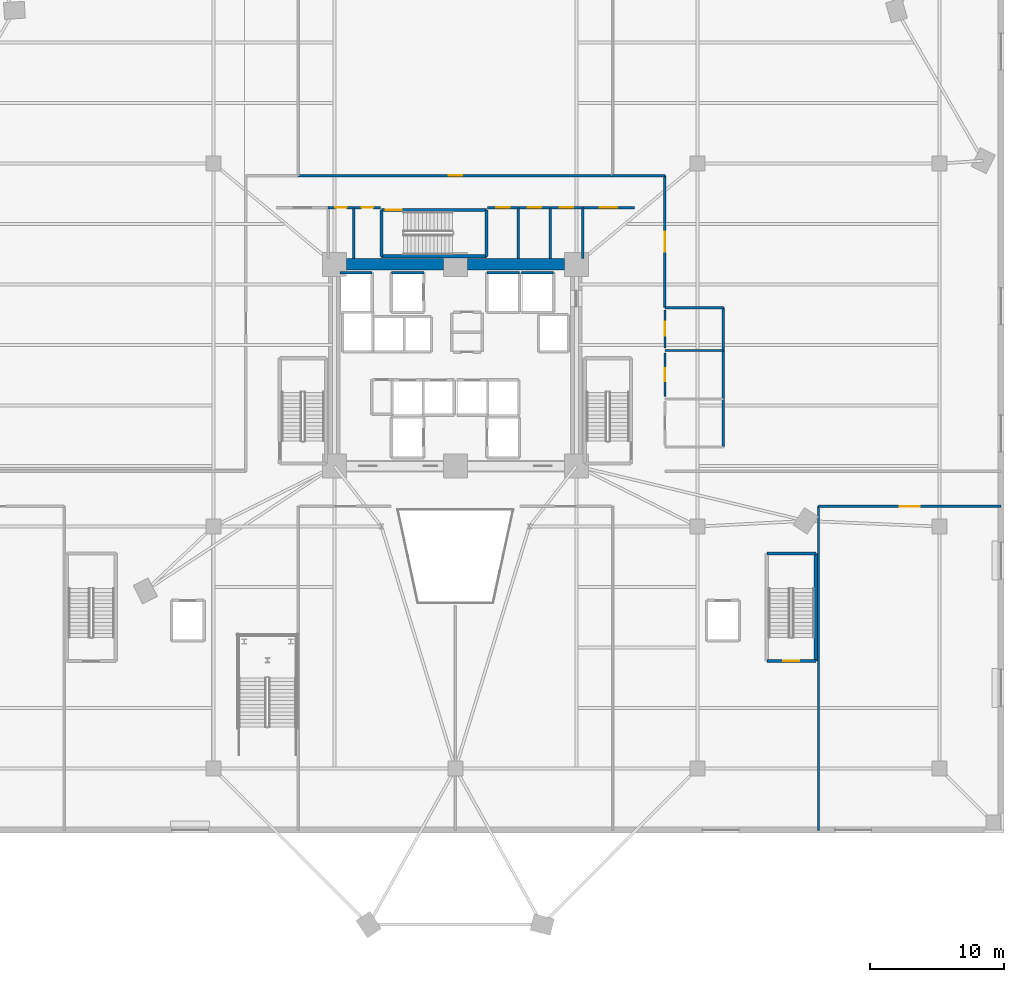
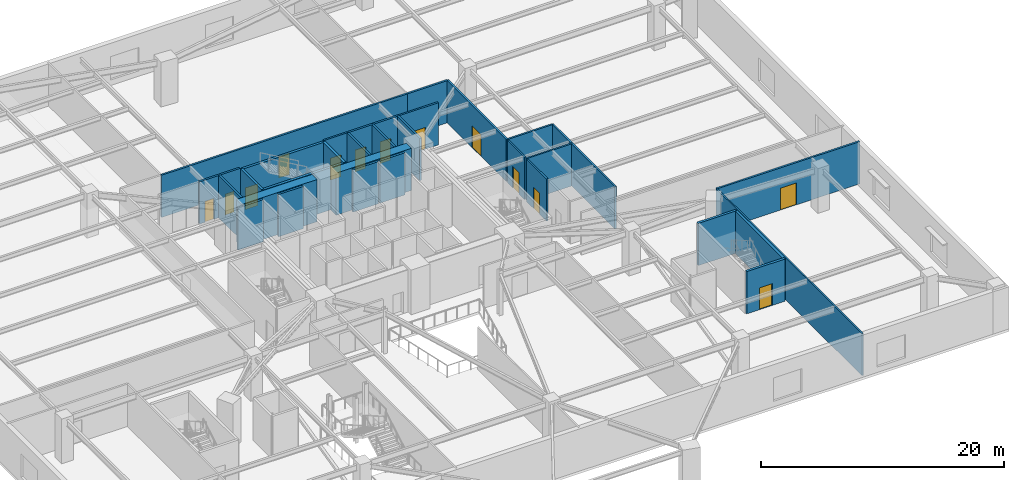
# One storey, part 8 of 16: 33 walls, 13 doors, 13 openings.
"""IFC4 building model written with IfcOpenShell, lengths in metres."""

import ifcopenshell
import ifcopenshell.guid

model = None  # the IFC model being written
_history = None  # IfcOwnerHistory: only IFC2X3 demands one
_inside = {}  # id of a spatial element -> (the spatial element, [elements in it])
_under = {}  # id of a project, library or spatial element -> (it, [spatial elements below it])
_declared = {}  # id of a project -> (the project, [libraries it declares])
_typed = {}  # id of a type object -> (the type object, [elements of that type])
_made_of = {}  # id of a material, layer set ... -> (it, [elements and type objects made of it])


def new_model(schema):
    """Start an empty IFC model of exactly this schema.

    Asked for "IFC4X3", IfcOpenShell would pick the latest addendum, in which some entities
    have other attributes; the version numbers below select the first issue.
    IFC2X3 requires an IfcOwnerHistory on every rooted entity: one is made here for all.
    """
    global model, _history
    if schema == "IFC4X3":
        model = ifcopenshell.file(schema_version=(4, 3, 0, 0))
    else:
        model = ifcopenshell.file(schema=schema)
    _inside.clear()
    _under.clear()
    _declared.clear()
    _typed.clear()
    _made_of.clear()
    _history = None
    if model.schema == "IFC2X3":
        org = make("IfcOrganization", Name="unknown")
        user = make(
            "IfcPersonAndOrganization",
            ThePerson=make("IfcPerson", FamilyName="unknown"),
            TheOrganization=org,
        )
        app = make(
            "IfcApplication",
            ApplicationDeveloper=org,
            Version="unknown",
            ApplicationFullName="unknown",
            ApplicationIdentifier="unknown",
        )
        _history = make(
            "IfcOwnerHistory",
            OwningUser=user,
            OwningApplication=app,
            ChangeAction="ADDED",
            CreationDate=0,
        )
    return model


def make(cls, **values):
    """One entity of the class cls with the attributes given. An attribute that is None is left unset."""
    return model.create_entity(
        cls, **{name: value for name, value in values.items() if value is not None}
    )


def rooted(cls, **values):
    """An entity with a GlobalId (a new one), such as an element, a storey or a relation."""
    return make(cls, GlobalId=ifcopenshell.guid.new(), OwnerHistory=_history, **values)


def si_unit(unit_type, name, prefix=None):
    """IfcSIUnit, for example si_unit("LENGTHUNIT", "METRE", prefix="MILLI")."""
    return make("IfcSIUnit", UnitType=unit_type, Prefix=prefix, Name=name)


def assignment(units):
    """IfcUnitAssignment: the units of a project."""
    return None if units is None else make("IfcUnitAssignment", Units=units)


def point(xyz):
    """IfcCartesianPoint."""
    return None if xyz is None else make("IfcCartesianPoint", Coordinates=xyz)


def direction(xyz):
    """IfcDirection."""
    return None if xyz is None else make("IfcDirection", DirectionRatios=xyz)


def frame(location, z_axis=None, x_axis=None):
    """IfcAxis2Placement3D, a coordinate frame: its origin and axes. An axis left out is left unset."""
    return make(
        "IfcAxis2Placement3D",
        Location=point(location),
        Axis=direction(z_axis),
        RefDirection=direction(x_axis),
    )


def frame_2d(location, x_axis=None):
    """IfcAxis2Placement2D, a coordinate frame in the plane: its origin and x axis."""
    return make(
        "IfcAxis2Placement2D", Location=point(location), RefDirection=direction(x_axis)
    )


def origin():
    """The frame at (0, 0, 0) with its axes left unset."""
    return frame((0.0, 0.0, 0.0))


def place(relative_to, where):
    """IfcLocalPlacement: puts the frame where relative to a parent placement (None: the world)."""
    return make(
        "IfcLocalPlacement", PlacementRelTo=relative_to, RelativePlacement=where
    )


def context(
    kind, dimensions, precision=None, world=None, true_north=None, identifier=None
):
    """IfcGeometricRepresentationContext, for example the 3D "Model" context."""
    return make(
        "IfcGeometricRepresentationContext",
        ContextIdentifier=identifier,
        ContextType=kind,
        CoordinateSpaceDimension=dimensions,
        Precision=precision,
        WorldCoordinateSystem=world,
        TrueNorth=true_north,
    )


def subcontext(parent, identifier, kind, view, scale=None):
    """IfcGeometricRepresentationSubContext, for example "Body" below "Model"."""
    return make(
        "IfcGeometricRepresentationSubContext",
        ContextIdentifier=identifier,
        ContextType=kind,
        ParentContext=parent,
        TargetScale=scale,
        TargetView=view,
    )


def project(units=None, contexts=None):
    """IfcProject with its units and contexts."""
    return rooted(
        "IfcProject",
        Name="project",
        RepresentationContexts=contexts,
        UnitsInContext=assignment(units),
    )


def spatial(cls, under=None, at=None, **own):
    """A site, building, storey or space (cls), placed at a placement, below another one or the project."""
    s = rooted(cls, ObjectPlacement=at, **own)
    if under is not None:
        _under.setdefault(under.id(), (under, []))[1].append(s)
    return s


def profile(cls, at=None, kind="AREA", **sizes):
    """A parametric profile (cls). Its sizes go by their IFC names, for example OverallWidth=200.0."""
    return make(cls, ProfileType=kind, Position=at, **sizes)


def rectangle(**sizes):
    """IfcRectangleProfileDef."""
    return profile("IfcRectangleProfileDef", **sizes)


def extrude(swept, where, along, depth):
    """IfcExtrudedAreaSolid: the profile swept, set in the frame where, extruded along a direction by depth."""
    return make(
        "IfcExtrudedAreaSolid",
        SweptArea=swept,
        Position=where,
        ExtrudedDirection=direction(along),
        Depth=depth,
    )


def shape(context_of_items, identifier, shape_type, items):
    """IfcShapeRepresentation: the items that make up one representation, for example the "Body"."""
    return make(
        "IfcShapeRepresentation",
        ContextOfItems=context_of_items,
        RepresentationIdentifier=identifier,
        RepresentationType=shape_type,
        Items=items,
    )


def source(mapping_origin, context_of_items, identifier, shape_type, items):
    """IfcRepresentationMap: a shape defined once, which mapped items show again and again."""
    return make(
        "IfcRepresentationMap",
        MappingOrigin=mapping_origin,
        MappedRepresentation=shape(context_of_items, identifier, shape_type, items),
    )


def transform(
    local_origin,
    x_axis=None,
    y_axis=None,
    z_axis=None,
    scale=None,
    scale2=None,
    scale3=None,
    uniform=True,
):
    """IfcCartesianTransformationOperator3D, or its non-uniform kind. x_axis, y_axis, z_axis: its Axis1, 2, 3."""
    if uniform:
        return make(
            "IfcCartesianTransformationOperator3D",
            Axis1=direction(x_axis),
            Axis2=direction(y_axis),
            LocalOrigin=point(local_origin),
            Scale=scale,
            Axis3=direction(z_axis),
        )
    return make(
        "IfcCartesianTransformationOperator3DnonUniform",
        Axis1=direction(x_axis),
        Axis2=direction(y_axis),
        LocalOrigin=point(local_origin),
        Scale=scale,
        Axis3=direction(z_axis),
        Scale2=scale2,
        Scale3=scale3,
    )


def mapped(mapping_source, mapping_target):
    """IfcMappedItem: shows the shape of a source again, moved by a transform."""
    return make(
        "IfcMappedItem", MappingSource=mapping_source, MappingTarget=mapping_target
    )


def material(Name=None, Category=None):
    """IfcMaterial."""
    return make("IfcMaterial", Name=Name, Category=Category)


def layer(
    of_material, thickness, ventilated=None, Name=None, Category=None, Priority=None
):
    """IfcMaterialLayer: one layer of a wall or slab, of a material (None: an air gap)."""
    return make(
        "IfcMaterialLayer",
        Material=of_material,
        LayerThickness=thickness,
        IsVentilated=ventilated,
        Name=Name,
        Category=Category,
        Priority=Priority,
    )


def layer_set(layers, Name=None):
    """IfcMaterialLayerSet."""
    return make("IfcMaterialLayerSet", MaterialLayers=layers, LayerSetName=Name)


def made_of(thing, what):
    """Note that an element or type object is made of a material, layer set ...; save() writes the relation."""
    if what is not None:
        _made_of.setdefault(what.id(), (what, []))[1].append(thing)
    return thing


def type_object(cls, material=None, **own):
    """A type object (cls), such as IfcWallType, which elements share."""
    return made_of(rooted(cls, **own), material)


def element(
    cls,
    number,
    at=None,
    inside=None,
    cuts=None,
    type_object=None,
    material=None,
    context=None,
    identifier="Body",
    shape_type=None,
    held_by="IfcProductDefinitionShape",
    body=None,
    shapes=None,
    **own,
):
    """One element of the class cls, such as IfcWall. Its Tag is "e" and its number.

    at: its placement. inside: the storey or other place that contains it. cuts: it is an
    opening in that element (IfcRelVoidsElement). A single representation is given by context,
    identifier, shape_type and body (its items); several are given by shapes. held_by: the class
    of the entity that holds the representations. save() writes the other relations.
    """
    e = rooted(cls, Tag="e%d" % number, ObjectPlacement=at, **own)
    if body is not None:
        shapes = [shape(context, identifier, shape_type, body)]
    if shapes is not None:
        e.Representation = make(held_by, Representations=shapes)
    if inside is not None:
        _inside.setdefault(inside.id(), (inside, []))[1].append(e)
    if cuts is not None:
        rooted(
            "IfcRelVoidsElement", RelatingBuildingElement=cuts, RelatedOpeningElement=e
        )
    if type_object is not None:
        _typed.setdefault(type_object.id(), (type_object, []))[1].append(e)
    return made_of(e, material)


def fill(opening, filler):
    """IfcRelFillsElement: the door or window that sits in an opening."""
    return rooted(
        "IfcRelFillsElement",
        RelatingOpeningElement=opening,
        RelatedBuildingElement=filler,
    )


def aggregate(whole, parts):
    """IfcRelAggregates: a whole, such as a stair, and the parts it consists of."""
    return rooted("IfcRelAggregates", RelatingObject=whole, RelatedObjects=parts)


def save(model, path):
    """Write the relations noted so far, then the file.

    IfcRelAggregates (storeys below a building ...), IfcRelContainedInSpatialStructure (elements
    in a storey), IfcRelDefinesByType, IfcRelAssociatesMaterial and IfcRelDeclares: one each for
    every whole, place, type object, material and project.
    """
    for whole, parts in _under.values():
        aggregate(whole, parts)
    for where, things in _inside.values():
        rooted(
            "IfcRelContainedInSpatialStructure",
            RelatedElements=things,
            RelatingStructure=where,
        )
    for kind, things in _typed.values():
        rooted("IfcRelDefinesByType", RelatedObjects=things, RelatingType=kind)
    for what, things in _made_of.values():
        rooted("IfcRelAssociatesMaterial", RelatedObjects=things, RelatingMaterial=what)
    for by, libraries in _declared.values():
        rooted("IfcRelDeclares", RelatingContext=by, RelatedDefinitions=libraries)
    model.write(path)


model = new_model("IFC4")

# Units and contexts
model_context = context("Model", 3, precision=1e-05, world=origin(), true_north=direction((0.0, 1.0)))
body_context = subcontext(model_context, "Body", "Model", "MODEL_VIEW")
ifc_project = project(units=[si_unit("LENGTHUNIT", "METRE"), si_unit("AREAUNIT", "SQUARE_METRE"), si_unit("VOLUMEUNIT", "CUBIC_METRE"), si_unit("PLANEANGLEUNIT", "RADIAN"), si_unit("MASSUNIT", "GRAM", prefix="KILO")], contexts=[model_context])

# Site, building, storey
site_placement = place(None, origin())
site = spatial("IfcSite", under=ifc_project, at=site_placement, CompositionType="ELEMENT")
building_placement = place(site_placement, origin())
building = spatial("IfcBuilding", under=site, at=building_placement, Name="Liaohun Quay Tower", CompositionType="ELEMENT")
storey_placement = place(building_placement, frame((0.0, 0.0, 14.39990234375)))
storey = spatial("IfcBuildingStorey", under=building, at=storey_placement, Name="L04", CompositionType="ELEMENT", Elevation=14.39990234375)

# Walls
ifc_material_1 = material(Name="Concrete C60", Category="concrete")
ifc_layer_1 = layer(ifc_material_1, 0.85009765625, Name="Concrete C60", Category="concrete")
ifc_layer_set_1 = layer_set([ifc_layer_1], Name="Concrete C60")
wall_type_1 = type_object("IfcWallType", Name="WAL-COR-Z1", PredefinedType="SHEAR", material=ifc_layer_set_1)
for number, where, z_axis, x_axis, name in (
    (1, (51.89990234375, 61.5, 0.0), (0.0, 0.0, 1.0), (1.0, 0.0, 0.0), "L04 Central Core Shear Wall N-W"),
    (2, (60.89990234375, 61.5, 0.0), (0.0, 0.0, 1.0), (1.0, 0.0, 0.0), "L04 Central Core Shear Wall N-E"),
):
    element("IfcWall", number, at=place(storey_placement, frame(where, z_axis=z_axis, x_axis=x_axis)), inside=storey, type_object=wall_type_1, Name=name, PredefinedType="SHEAR", context=body_context, shape_type="SweptSolid", body=[
        extrude(rectangle(XDim=7.2001953125, YDim=0.85009765625, at=frame_2d((3.60009765625, 0.0))), origin(), (0.0, 0.0, 1.0), 4.25),
    ])

# Wall, opening, door
ifc_material_2 = material(Name="Autoclaved aerated concrete blockwork", Category="masonry")
ifc_layer_2 = layer(ifc_material_2, 0.179931640625, Name="Autoclaved aerated concrete blockwork", Category="masonry")
ifc_layer_set_2 = layer_set([ifc_layer_2], Name="Autoclaved aerated concrete blockwork")
wall_type_2 = type_object("IfcWallType", Name="WAL-PRT-COR", PredefinedType="PARTITIONING", material=ifc_layer_set_2)
wall_1_placement = place(storey_placement, frame((50.5400390625, 65.719970703125, 0.0), z_axis=(0.0, 0.0, 1.0), x_axis=(1.0, 0.0, 0.0)))
wall_1 = element("IfcWall", 3, at=wall_1_placement, inside=storey, type_object=wall_type_2, Name="L04 Interior Partition Wall 007", PredefinedType="PARTITIONING", context=body_context, shape_type="SweptSolid", body=[
    extrude(rectangle(XDim=1.89990234375, YDim=0.179931640625, at=frame_2d((0.949951171875, 0.0))), origin(), (0.0, 0.0, 1.0), 4.25),
])
shared_shape_1 = source(origin(), body_context, "Body", "SweptSolid", [
    extrude(rectangle(XDim=0.85009765625, YDim=2.10009765625, at=frame_2d((0.425048828125, 1.050048828125))), frame((0.0, 0.099853515625, 0.0), z_axis=(0.0, -1.0, 0.0), x_axis=(1.0, 0.0, 0.0)), (0.0, 0.0, 1.0), 0.199951171875),
])
opening_1_placement = place(wall_1_placement, frame((0.52490234375, 0.0, 0.0)))
opening_1 = element("IfcOpeningElement", 4, at=opening_1_placement, cuts=wall_1, Name="Opening AD1", PredefinedType="OPENING", context=body_context, shape_type="MappedRepresentation", body=[
    mapped(shared_shape_1, transform((0.0, 0.0, 0.0), x_axis=(1.0, 0.0, 0.0), y_axis=(0.0, 1.0, 0.0), z_axis=(0.0, 0.0, 1.0), scale=1.0)),
])
ifc_material_3 = material(Name="Steel riser inspection fire door", Category="steel")
door_type_1 = type_object("IfcDoorType", Name="DOR-SHF-850", OperationType="NOTDEFINED", PredefinedType="DOOR", material=ifc_material_3)
shared_shape_2 = source(origin(), body_context, "Body", "SweptSolid", [
    extrude(rectangle(XDim=0.85009765625, YDim=2.10009765625, at=frame_2d((0.425048828125, 1.050048828125))), frame((0.0, 0.02490234375, 0.0), z_axis=(0.0, -1.0, 0.0), x_axis=(1.0, 0.0, 0.0)), (0.0, 0.0, 1.0), 0.050048828125),
])
door_1_placement = place(opening_1_placement, origin())
door_1 = element("IfcDoor", 5, at=door_1_placement, inside=storey, type_object=door_type_1, Name="L04 Podium Riser Closet Door", OperationType="SINGLE_SWING_RIGHT", OverallHeight=2.10009765625, OverallWidth=0.85009765625, PredefinedType="DOOR", context=body_context, shape_type="MappedRepresentation", body=[
    mapped(shared_shape_2, transform((0.0, 0.0, 0.0), x_axis=(1.0, 0.0, 0.0), y_axis=(0.0, 1.0, 0.0), z_axis=(0.0, 0.0, 1.0), scale=1.0)),
])
fill(opening_1, door_1)

wall_2_placement = place(storey_placement, frame((52.47998046875, 65.719970703125, 0.0), z_axis=(0.0, 0.0, 1.0), x_axis=(1.0, 0.0, 0.0)))
wall_2 = element("IfcWall", 6, at=wall_2_placement, inside=storey, type_object=wall_type_2, Name="L04 Interior Partition Wall 008", PredefinedType="PARTITIONING", context=body_context, shape_type="SweptSolid", body=[
    extrude(rectangle(XDim=1.929931640625, YDim=0.179931640625, at=frame_2d((0.96484375, 0.0))), origin(), (0.0, 0.0, 1.0), 4.25),
])
opening_2_placement = place(wall_2_placement, frame((0.5400390625, 0.0, 0.0)))
opening_2 = element("IfcOpeningElement", 7, at=opening_2_placement, cuts=wall_2, Name="Opening AD1", PredefinedType="OPENING", context=body_context, shape_type="MappedRepresentation", body=[
    mapped(shared_shape_1, transform((0.0, 0.0, 0.0), x_axis=(1.0, 0.0, 0.0), y_axis=(0.0, 1.0, 0.0), z_axis=(0.0, 0.0, 1.0), scale=1.0)),
])
door_2_placement = place(opening_2_placement, origin())
door_2 = element("IfcDoor", 8, at=door_2_placement, inside=storey, type_object=door_type_1, Name="L04 Podium Print Closet Door", OperationType="SINGLE_SWING_LEFT", OverallHeight=2.10009765625, OverallWidth=0.85009765625, PredefinedType="DOOR", context=body_context, shape_type="MappedRepresentation", body=[
    mapped(shared_shape_2, transform((0.0, 0.0, 0.0), x_axis=(1.0, 0.0, 0.0), y_axis=(0.0, 1.0, 0.0), z_axis=(0.0, 0.0, 1.0), scale=1.0)),
])
fill(opening_2, door_2)

wall_3_placement = place(storey_placement, frame((62.389892578125, 65.719970703125, 0.0), z_axis=(0.0, 0.0, 1.0), x_axis=(1.0, 0.0, 0.0)))
wall_3 = element("IfcWall", 9, at=wall_3_placement, inside=storey, type_object=wall_type_2, Name="L04 Interior Partition Wall 009", PredefinedType="PARTITIONING", context=body_context, shape_type="SweptSolid", body=[
    extrude(rectangle(XDim=2.2900390625, YDim=0.179931640625, at=frame_2d((1.14501953125, 0.0))), origin(), (0.0, 0.0, 1.0), 4.25),
])
shared_shape_3 = source(origin(), body_context, "Body", "SweptSolid", [
    extrude(rectangle(XDim=1.0, YDim=2.199951171875, at=frame_2d((0.5, 1.10009765625))), frame((0.0, 0.099853515625, 0.0), z_axis=(0.0, -1.0, 0.0), x_axis=(1.0, 0.0, 0.0)), (0.0, 0.0, 1.0), 0.199951171875),
])
opening_3_placement = place(wall_3_placement, frame((0.64501953125, 0.0, 0.0)))
opening_3 = element("IfcOpeningElement", 10, at=opening_3_placement, cuts=wall_3, Name="Opening OD1", PredefinedType="OPENING", context=body_context, shape_type="MappedRepresentation", body=[
    mapped(shared_shape_3, transform((0.0, 0.0, 0.0), x_axis=(1.0, 0.0, 0.0), y_axis=(0.0, 1.0, 0.0), z_axis=(0.0, 0.0, 1.0), scale=1.0)),
])
ifc_material_4 = material(Name="Solid-core oak veneer timber leaf in steel frame", Category="steel")
door_type_2 = type_object("IfcDoorType", Name="DOR-OFF-1000", OperationType="NOTDEFINED", PredefinedType="DOOR", material=ifc_material_4)
shared_shape_4 = source(origin(), body_context, "Body", "SweptSolid", [
    extrude(rectangle(XDim=1.0, YDim=2.199951171875, at=frame_2d((0.5, 1.10009765625))), frame((0.0, 0.02490234375, 0.0), z_axis=(0.0, -1.0, 0.0), x_axis=(1.0, 0.0, 0.0)), (0.0, 0.0, 1.0), 0.050048828125),
])
door_3_placement = place(opening_3_placement, origin())
door_3 = element("IfcDoor", 11, at=door_3_placement, inside=storey, type_object=door_type_2, Name="L04 Podium Mail Store Door", OperationType="SINGLE_SWING_RIGHT", OverallHeight=2.199951171875, OverallWidth=1.0, PredefinedType="DOOR", context=body_context, shape_type="MappedRepresentation", body=[
    mapped(shared_shape_4, transform((0.0, 0.0, 0.0), x_axis=(1.0, 0.0, 0.0), y_axis=(0.0, 1.0, 0.0), z_axis=(0.0, 0.0, 1.0), scale=1.0)),
])
fill(opening_3, door_3)

wall_4_placement = place(storey_placement, frame((64.719970703125, 65.719970703125, 0.0), z_axis=(0.0, 0.0, 1.0), x_axis=(1.0, 0.0, 0.0)))
wall_4 = element("IfcWall", 12, at=wall_4_placement, inside=storey, type_object=wall_type_2, Name="L04 Interior Partition Wall 010", PredefinedType="PARTITIONING", context=body_context, shape_type="SweptSolid", body=[
    extrude(rectangle(XDim=2.320068359375, YDim=0.179931640625, at=frame_2d((1.16015625, 0.0))), origin(), (0.0, 0.0, 1.0), 4.25),
])
opening_4_placement = place(wall_4_placement, frame((0.659912109375, 0.0, 0.0)))
opening_4 = element("IfcOpeningElement", 13, at=opening_4_placement, cuts=wall_4, Name="Opening OD1", PredefinedType="OPENING", context=body_context, shape_type="MappedRepresentation", body=[
    mapped(shared_shape_3, transform((0.0, 0.0, 0.0), x_axis=(1.0, 0.0, 0.0), y_axis=(0.0, 1.0, 0.0), z_axis=(0.0, 0.0, 1.0), scale=1.0)),
])
door_4_placement = place(opening_4_placement, origin())
door_4 = element("IfcDoor", 14, at=door_4_placement, inside=storey, type_object=door_type_2, Name="L04 Podium Comms Room Door", OperationType="SINGLE_SWING_LEFT", OverallHeight=2.199951171875, OverallWidth=1.0, PredefinedType="DOOR", context=body_context, shape_type="MappedRepresentation", body=[
    mapped(shared_shape_4, transform((0.0, 0.0, 0.0), x_axis=(1.0, 0.0, 0.0), y_axis=(0.0, 1.0, 0.0), z_axis=(0.0, 0.0, 1.0), scale=1.0)),
])
fill(opening_4, door_4)

wall_5_placement = place(storey_placement, frame((67.080078125, 65.719970703125, 0.0), z_axis=(0.0, 0.0, 1.0), x_axis=(1.0, 0.0, 0.0)))
wall_5 = element("IfcWall", 15, at=wall_5_placement, inside=storey, type_object=wall_type_2, Name="L04 Interior Partition Wall 011", PredefinedType="PARTITIONING", context=body_context, shape_type="SweptSolid", body=[
    extrude(rectangle(XDim=2.3798828125, YDim=0.179931640625, at=frame_2d((1.18994140625, 0.0))), origin(), (0.0, 0.0, 1.0), 4.25),
])
opening_5_placement = place(wall_5_placement, frame((0.68994140625, 0.0, 0.0)))
opening_5 = element("IfcOpeningElement", 16, at=opening_5_placement, cuts=wall_5, Name="Opening OD1", PredefinedType="OPENING", context=body_context, shape_type="MappedRepresentation", body=[
    mapped(shared_shape_3, transform((0.0, 0.0, 0.0), x_axis=(1.0, 0.0, 0.0), y_axis=(0.0, 1.0, 0.0), z_axis=(0.0, 0.0, 1.0), scale=1.0)),
])
door_5_placement = place(opening_5_placement, origin())
door_5 = element("IfcDoor", 17, at=door_5_placement, inside=storey, type_object=door_type_2, Name="L04 Podium Cleaner Store Door", OperationType="SINGLE_SWING_RIGHT", OverallHeight=2.199951171875, OverallWidth=1.0, PredefinedType="DOOR", context=body_context, shape_type="MappedRepresentation", body=[
    mapped(shared_shape_4, transform((0.0, 0.0, 0.0), x_axis=(1.0, 0.0, 0.0), y_axis=(0.0, 1.0, 0.0), z_axis=(0.0, 0.0, 1.0), scale=1.0)),
])
fill(opening_5, door_5)

wall_6_placement = place(storey_placement, frame((69.4599609375, 65.719970703125, 0.0), z_axis=(0.0, 0.0, 1.0), x_axis=(1.0, 0.0, 0.0)))
wall_6 = element("IfcWall", 18, at=wall_6_placement, inside=storey, type_object=wall_type_2, Name="L04 Interior Partition Wall 013", PredefinedType="PARTITIONING", context=body_context, shape_type="SweptSolid", body=[
    extrude(rectangle(XDim=3.840087890625, YDim=0.179931640625, at=frame_2d((1.919921875, 0.0))), origin(), (0.0, 0.0, 1.0), 4.25),
])
shared_shape_5 = source(origin(), body_context, "Body", "SweptSolid", [
    extrude(rectangle(XDim=1.300048828125, YDim=2.199951171875, at=frame_2d((0.64990234375, 1.10009765625))), frame((0.0, 0.099853515625, 0.0), z_axis=(0.0, -1.0, 0.0), x_axis=(1.0, 0.0, 0.0)), (0.0, 0.0, 1.0), 0.199951171875),
])
opening_6_placement = place(wall_6_placement, frame((1.27001953125, 0.0, 0.0)))
opening_6 = element("IfcOpeningElement", 19, at=opening_6_placement, cuts=wall_6, Name="Opening FD1", PredefinedType="OPENING", context=body_context, shape_type="MappedRepresentation", body=[
    mapped(shared_shape_5, transform((0.0, 0.0, 0.0), x_axis=(1.0, 0.0, 0.0), y_axis=(0.0, 1.0, 0.0), z_axis=(0.0, 0.0, 1.0), scale=1.0)),
])
ifc_material_5 = material(Name="Galvanised steel smokeproof fire door", Category="steel")
door_type_3 = type_object("IfcDoorType", Name="DOR-FFL-1300", OperationType="NOTDEFINED", PredefinedType="DOOR", material=ifc_material_5)
shared_shape_6 = source(origin(), body_context, "Body", "SweptSolid", [
    extrude(rectangle(XDim=1.300048828125, YDim=2.199951171875, at=frame_2d((0.64990234375, 1.10009765625))), frame((0.0, 0.02490234375, 0.0), z_axis=(0.0, -1.0, 0.0), x_axis=(1.0, 0.0, 0.0)), (0.0, 0.0, 1.0), 0.050048828125),
])
door_6_placement = place(opening_6_placement, origin())
door_6 = element("IfcDoor", 20, at=door_6_placement, inside=storey, type_object=door_type_3, Name="L04 Podium East Core Vestibule Door", OperationType="SINGLE_SWING_RIGHT", OverallHeight=2.199951171875, OverallWidth=1.300048828125, PredefinedType="DOOR", context=body_context, shape_type="MappedRepresentation", body=[
    mapped(shared_shape_6, transform((0.0, 0.0, 0.0), x_axis=(1.0, 0.0, 0.0), y_axis=(0.0, 1.0, 0.0), z_axis=(0.0, 0.0, 1.0), scale=1.0)),
])
fill(opening_6, door_6)

wall_7_placement = place(storey_placement, frame((87.0, 43.5, 0.0), z_axis=(0.0, 0.0, 1.0), x_axis=(1.0, 0.0, 0.0)))
wall_7 = element("IfcWall", 21, at=wall_7_placement, inside=storey, type_object=wall_type_2, Name="L04 Interior Partition Wall 017", PredefinedType="PARTITIONING", context=body_context, shape_type="SweptSolid", body=[
    extrude(rectangle(XDim=13.574951171875, YDim=0.179931640625, at=frame_2d((6.78759765625, 0.0))), origin(), (0.0, 0.0, 1.0), 4.25),
])
shared_shape_7 = source(origin(), body_context, "Body", "SweptSolid", [
    extrude(rectangle(XDim=1.5, YDim=2.199951171875, at=frame_2d((0.75, 1.10009765625))), frame((0.0, 0.099853515625, 0.0), z_axis=(0.0, -1.0, 0.0), x_axis=(1.0, 0.0, 0.0)), (0.0, 0.0, 1.0), 0.199951171875),
])
opening_7_placement = place(wall_7_placement, frame((6.0380859375, 0.0, 0.0)))
opening_7 = element("IfcOpeningElement", 22, at=opening_7_placement, cuts=wall_7, Name="Opening OD2", PredefinedType="OPENING", context=body_context, shape_type="MappedRepresentation", body=[
    mapped(shared_shape_7, transform((0.0, 0.0, 0.0), x_axis=(1.0, 0.0, 0.0), y_axis=(0.0, 1.0, 0.0), z_axis=(0.0, 0.0, 1.0), scale=1.0)),
])
ifc_material_6 = material(Name="Acoustic oak veneer double door")
door_type_4 = type_object("IfcDoorType", Name="DOR-OFF-1500", OperationType="DOUBLE_DOOR_SINGLE_SWING", PredefinedType="DOOR", material=ifc_material_6)
shared_shape_8 = source(origin(), body_context, "Body", "SweptSolid", [
    extrude(rectangle(XDim=1.5, YDim=2.199951171875, at=frame_2d((0.75, 1.10009765625))), frame((0.0, 0.02490234375, 0.0), z_axis=(0.0, -1.0, 0.0), x_axis=(1.0, 0.0, 0.0)), (0.0, 0.0, 1.0), 0.050048828125),
])
door_7_placement = place(opening_7_placement, origin())
door_7 = element("IfcDoor", 23, at=door_7_placement, inside=storey, type_object=door_type_4, Name="L04 Board Briefing Office Door", OperationType="DOUBLE_DOOR_SINGLE_SWING", OverallHeight=2.199951171875, OverallWidth=1.5, PredefinedType="DOOR", context=body_context, shape_type="MappedRepresentation", body=[
    mapped(shared_shape_8, transform((0.0, 0.0, 0.0), x_axis=(1.0, 0.0, 0.0), y_axis=(0.0, 1.0, 0.0), z_axis=(0.0, 0.0, 1.0), scale=1.0)),
])
fill(opening_7, door_7)

wall_8_placement = place(storey_placement, frame((75.580078125, 58.280029296875, 0.0), z_axis=(0.0, 0.0, 1.0), x_axis=(0.0, 1.0, 0.0)))
wall_8 = element("IfcWall", 24, at=wall_8_placement, inside=storey, type_object=wall_type_2, Name="L04 Interior Partition Wall 019", PredefinedType="PARTITIONING", context=body_context, shape_type="SweptSolid", body=[
    extrude(rectangle(XDim=9.820068359375, YDim=0.179931640625, at=frame_2d((4.91015625, 0.0))), origin(), (0.0, 0.0, 1.0), 4.25),
])
opening_8_placement = place(wall_8_placement, frame((4.159912109375, 0.0, 0.0)))
opening_8 = element("IfcOpeningElement", 25, at=opening_8_placement, cuts=wall_8, Name="Opening OD2", PredefinedType="OPENING", context=body_context, shape_type="MappedRepresentation", body=[
    mapped(shared_shape_7, transform((0.0, 0.0, 0.0), x_axis=(1.0, 0.0, 0.0), y_axis=(0.0, 1.0, 0.0), z_axis=(0.0, 0.0, 1.0), scale=1.0)),
])
door_8_placement = place(opening_8_placement, origin())
door_8 = element("IfcDoor", 26, at=door_8_placement, inside=storey, type_object=door_type_4, Name="L04 Technical Research Library Door", OperationType="DOUBLE_DOOR_SINGLE_SWING", OverallHeight=2.199951171875, OverallWidth=1.5, PredefinedType="DOOR", context=body_context, shape_type="MappedRepresentation", body=[
    mapped(shared_shape_8, transform((0.0, 0.0, 0.0), x_axis=(1.0, 0.0, 0.0), y_axis=(0.0, 1.0, 0.0), z_axis=(0.0, 0.0, 1.0), scale=1.0)),
])
fill(opening_8, door_8)

wall_9_placement = place(storey_placement, frame((48.300048828125, 68.10009765625, 0.0), z_axis=(0.0, 0.0, 1.0), x_axis=(1.0, 0.0, 0.0)))
wall_9 = element("IfcWall", 27, at=wall_9_placement, inside=storey, type_object=wall_type_2, Name="L04 Interior Partition Wall 020", PredefinedType="PARTITIONING", context=body_context, shape_type="SweptSolid", body=[
    extrude(rectangle(XDim=23.39990234375, YDim=0.179931640625, at=frame_2d((11.699951171875, 0.0))), origin(), (0.0, 0.0, 1.0), 4.25),
])
opening_9_placement = place(wall_9_placement, frame((11.199951171875, 0.0, 0.0)))
opening_9 = element("IfcOpeningElement", 28, at=opening_9_placement, cuts=wall_9, Name="Opening OD1", PredefinedType="OPENING", context=body_context, shape_type="MappedRepresentation", body=[
    mapped(shared_shape_3, transform((0.0, 0.0, 0.0), x_axis=(1.0, 0.0, 0.0), y_axis=(0.0, 1.0, 0.0), z_axis=(0.0, 0.0, 1.0), scale=1.0)),
])
door_9_placement = place(opening_9_placement, origin())
door_9 = element("IfcDoor", 29, at=door_9_placement, inside=storey, type_object=door_type_2, Name="L04 Colloquium Lounge Door", OperationType="SINGLE_SWING_LEFT", OverallHeight=2.199951171875, OverallWidth=1.0, PredefinedType="DOOR", context=body_context, shape_type="MappedRepresentation", body=[
    mapped(shared_shape_4, transform((0.0, 0.0, 0.0), x_axis=(1.0, 0.0, 0.0), y_axis=(0.0, 1.0, 0.0), z_axis=(0.0, 0.0, 1.0), scale=1.0)),
])
fill(opening_9, door_9)

# Walls
wall_10_placement = place(storey_placement, frame((71.699951171875, 68.10009765625, 0.0), z_axis=(0.0, 0.0, 1.0), x_axis=(1.0, 0.0, 0.0)))
element("IfcWall", 30, at=wall_10_placement, inside=storey, type_object=wall_type_2, Name="L04 Interior Partition Wall 034", PredefinedType="PARTITIONING", context=body_context, shape_type="SweptSolid", body=[
    extrude(rectangle(XDim=3.880126953125, YDim=0.179931640625, at=frame_2d((1.93994140625, 0.0))), origin(), (0.0, 0.0, 1.0), 4.25),
])
for number, where, z_axis, x_axis, name in (
    (31, (52.43994140625, 61.949951171875, 0.0), (0.0, 0.0, 1.0), (0.0, 1.0, 0.0), "L04 Interior Partition Wall 043"),
    (32, (64.679931640625, 61.949951171875, 0.0), (0.0, 0.0, 1.0), (0.0, 1.0, 0.0), "L04 Interior Partition Wall 044"),
    (33, (67.0400390625, 61.949951171875, 0.0), (0.0, 0.0, 1.0), (0.0, 1.0, 0.0), "L04 Interior Partition Wall 045"),
    (34, (69.4599609375, 61.949951171875, 0.0), (0.0, 0.0, 1.0), (0.0, 1.0, 0.0), "L04 Interior Partition Wall 046"),
):
    element("IfcWall", number, at=place(storey_placement, frame(where, z_axis=z_axis, x_axis=x_axis)), inside=storey, type_object=wall_type_2, Name=name, PredefinedType="PARTITIONING", context=body_context, shape_type="SweptSolid", body=[
        extrude(rectangle(XDim=3.77001953125, YDim=0.179931640625, at=frame_2d((1.885009765625, 0.0))), origin(), (0.0, 0.0, 1.0), 4.25),
    ])
ifc_material_7 = material(Name="Gypsum board on twin steel studs", Category="steel")
ifc_layer_3 = layer(ifc_material_7, 0.139892578125, Name="Gypsum board on twin steel studs", Category="steel")
ifc_layer_set_3 = layer_set([ifc_layer_3], Name="Gypsum board on twin steel studs")
wall_type_3 = type_object("IfcWallType", Name="WAL-PRT-OFF", PredefinedType="PARTITIONING", material=ifc_layer_set_3)
wall_11_placement = place(storey_placement, frame((87.0, 19.425048828125, 0.0), z_axis=(0.0, 0.0, 1.0), x_axis=(0.0, 1.0, 0.0)))
element("IfcWall", 35, at=wall_11_placement, inside=storey, type_object=wall_type_3, Name="L04 Interior Partition Wall 036", PredefinedType="PARTITIONING", context=body_context, shape_type="SweptSolid", body=[
    extrude(rectangle(XDim=24.074951171875, YDim=0.139892578125, at=frame_2d((12.03759765625, 0.0))), origin(), (0.0, 0.0, 1.0), 4.25),
])

# Wall, opening, door
ifc_material_8 = material(Name="Moisture-resistant masonry blockwork", Category="masonry")
ifc_layer_4 = layer(ifc_material_8, 0.159912109375, Name="Moisture-resistant masonry blockwork", Category="masonry")
ifc_layer_set_4 = layer_set([ifc_layer_4], Name="Moisture-resistant masonry blockwork")
wall_type_4 = type_object("IfcWallType", Name="WAL-PRT-WET", PredefinedType="PARTITIONING", material=ifc_layer_set_4)
wall_12_placement = place(storey_placement, frame((75.580078125, 51.679931640625, 0.0), z_axis=(0.0, 0.0, 1.0), x_axis=(0.0, 1.0, 0.0)))
wall_12 = element("IfcWall", 36, at=wall_12_placement, inside=storey, type_object=wall_type_4, Name="L04 Interior Partition Wall 005", PredefinedType="PARTITIONING", context=body_context, shape_type="SweptSolid", body=[
    extrude(rectangle(XDim=3.239990234375, YDim=0.159912109375, at=frame_2d((1.6201171875, 0.0))), origin(), (0.0, 0.0, 1.0), 4.25),
])
shared_shape_9 = source(origin(), body_context, "Body", "SweptSolid", [
    extrude(rectangle(XDim=0.949951171875, YDim=2.14990234375, at=frame_2d((0.47509765625, 1.074951171875))), frame((0.0, 0.08984375, 0.0), z_axis=(0.0, -1.0, 0.0), x_axis=(1.0, 0.0, 0.0)), (0.0, 0.0, 1.0), 0.179931640625),
])
opening_10_placement = place(wall_12_placement, frame((1.14501953125, 0.0, 0.0)))
opening_10 = element("IfcOpeningElement", 37, at=opening_10_placement, cuts=wall_12, Name="Opening WD1", PredefinedType="OPENING", context=body_context, shape_type="MappedRepresentation", body=[
    mapped(shared_shape_9, transform((0.0, 0.0, 0.0), x_axis=(1.0, 0.0, 0.0), y_axis=(0.0, 1.0, 0.0), z_axis=(0.0, 0.0, 1.0), scale=1.0)),
])
ifc_material_9 = material(Name="Moisture-resistant laminate timber leaf", Category="wood")
door_type_5 = type_object("IfcDoorType", Name="DOR-WC-950", OperationType="NOTDEFINED", PredefinedType="DOOR", material=ifc_material_9)
shared_shape_10 = source(origin(), body_context, "Body", "SweptSolid", [
    extrude(rectangle(XDim=0.949951171875, YDim=2.14990234375, at=frame_2d((0.47509765625, 1.074951171875))), frame((0.0, 0.02490234375, 0.0), z_axis=(0.0, -1.0, 0.0), x_axis=(1.0, 0.0, 0.0)), (0.0, 0.0, 1.0), 0.050048828125),
])
door_10_placement = place(opening_10_placement, origin())
door_10 = element("IfcDoor", 38, at=door_10_placement, inside=storey, type_object=door_type_5, Name="L04 Podium Female Restroom WC Door", OperationType="SINGLE_SWING_RIGHT", OverallHeight=2.14990234375, OverallWidth=0.949951171875, PredefinedType="DOOR", context=body_context, shape_type="MappedRepresentation", body=[
    mapped(shared_shape_10, transform((0.0, 0.0, 0.0), x_axis=(1.0, 0.0, 0.0), y_axis=(0.0, 1.0, 0.0), z_axis=(0.0, 0.0, 1.0), scale=1.0)),
])
fill(opening_10, door_10)

wall_13_placement = place(storey_placement, frame((75.580078125, 55.280029296875, 0.0), z_axis=(0.0, 0.0, 1.0), x_axis=(0.0, 1.0, 0.0)))
wall_13 = element("IfcWall", 39, at=wall_13_placement, inside=storey, type_object=wall_type_4, Name="L04 Interior Partition Wall 006", PredefinedType="PARTITIONING", context=body_context, shape_type="SweptSolid", body=[
    extrude(rectangle(XDim=2.840087890625, YDim=0.159912109375, at=frame_2d((1.419921875, 0.0))), origin(), (0.0, 0.0, 1.0), 4.25),
])
shared_shape_11 = source(origin(), body_context, "Body", "SweptSolid", [
    extrude(rectangle(XDim=1.050048828125, YDim=2.14990234375, at=frame_2d((0.52490234375, 1.074951171875))), frame((0.0, 0.08984375, 0.0), z_axis=(0.0, -1.0, 0.0), x_axis=(1.0, 0.0, 0.0)), (0.0, 0.0, 1.0), 0.179931640625),
])
opening_11_placement = place(wall_13_placement, frame((0.89501953125, 0.0, 0.0)))
opening_11 = element("IfcOpeningElement", 40, at=opening_11_placement, cuts=wall_13, Name="Opening WD2", PredefinedType="OPENING", context=body_context, shape_type="MappedRepresentation", body=[
    mapped(shared_shape_11, transform((0.0, 0.0, 0.0), x_axis=(1.0, 0.0, 0.0), y_axis=(0.0, 1.0, 0.0), z_axis=(0.0, 0.0, 1.0), scale=1.0)),
])
ifc_material_10 = material(Name="Accessible outward-swinging laminate door")
door_type_6 = type_object("IfcDoorType", Name="DOR-AWC-1050", OperationType="NOTDEFINED", PredefinedType="DOOR", material=ifc_material_10)
shared_shape_12 = source(origin(), body_context, "Body", "SweptSolid", [
    extrude(rectangle(XDim=1.050048828125, YDim=2.14990234375, at=frame_2d((0.52490234375, 1.074951171875))), frame((0.0, 0.02490234375, 0.0), z_axis=(0.0, -1.0, 0.0), x_axis=(1.0, 0.0, 0.0)), (0.0, 0.0, 1.0), 0.050048828125),
])
door_11_placement = place(opening_11_placement, origin())
door_11 = element("IfcDoor", 41, at=door_11_placement, inside=storey, type_object=door_type_6, Name="L04 Podium Accessible WC Door", OperationType="SINGLE_SWING_LEFT", OverallHeight=2.14990234375, OverallWidth=1.050048828125, PredefinedType="DOOR", context=body_context, shape_type="MappedRepresentation", body=[
    mapped(shared_shape_12, transform((0.0, 0.0, 0.0), x_axis=(1.0, 0.0, 0.0), y_axis=(0.0, 1.0, 0.0), z_axis=(0.0, 0.0, 1.0), scale=1.0)),
])
fill(opening_11, door_11)

# Walls
wall_14_placement = place(storey_placement, frame((79.919921875, 47.919921875, 0.0), z_axis=(0.0, 0.0, 1.0), x_axis=(0.0, 1.0, 0.0)))
element("IfcWall", 42, at=wall_14_placement, inside=storey, type_object=wall_type_4, Name="L04 Interior Partition Wall 026", PredefinedType="PARTITIONING", context=body_context, shape_type="SweptSolid", body=[
    extrude(rectangle(XDim=10.360107421875, YDim=0.159912109375, at=frame_2d((5.18017578125, 0.0))), origin(), (0.0, 0.0, 1.0), 4.25),
])
for number, where, z_axis, x_axis, name in (
    (43, (75.580078125, 55.10009765625, 0.0), (0.0, 0.0, 1.0), (1.0, 0.0, 0.0), "L04 Interior Partition Wall 029"),
    (44, (75.580078125, 58.280029296875, 0.0), (0.0, 0.0, 1.0), (1.0, 0.0, 0.0), "L04 Interior Partition Wall 030"),
):
    element("IfcWall", number, at=place(storey_placement, frame(where, z_axis=z_axis, x_axis=x_axis)), inside=storey, type_object=wall_type_4, Name=name, PredefinedType="PARTITIONING", context=body_context, shape_type="SweptSolid", body=[
        extrude(rectangle(XDim=4.33984375, YDim=0.159912109375, at=frame_2d((2.169921875, 0.0))), origin(), (0.0, 0.0, 1.0), 4.25),
    ])
ifc_material_11 = material(Name="Concrete C50", Category="concrete")
ifc_layer_5 = layer(ifc_material_11, 0.239990234375, Name="Concrete C50", Category="concrete")
ifc_layer_set_5 = layer_set([ifc_layer_5], Name="Concrete C50")
wall_type_5 = type_object("IfcWallType", Name="WAL-SHF-200", PredefinedType="SOLIDWALL", material=ifc_layer_set_5)
wall_15_placement = place(storey_placement, frame((54.5, 62.10009765625, 0.0), z_axis=(0.0, 0.0, 1.0), x_axis=(1.0, 0.0, 0.0)))
element("IfcWall", 45, at=wall_15_placement, inside=storey, type_object=wall_type_5, Name="L04 Stairwell ST-3 Structural Core Wall S", PredefinedType="SOLIDWALL", context=body_context, shape_type="SweptSolid", body=[
    extrude(rectangle(XDim=7.820068359375, YDim=0.239990234375, at=frame_2d((3.91015625, 0.0))), origin(), (0.0, 0.0, 1.0), 4.25),
])
wall_16_placement = place(storey_placement, frame((62.320068359375, 62.10009765625, 0.0), z_axis=(0.0, 0.0, 1.0), x_axis=(0.0, 1.0, 0.0)))
element("IfcWall", 46, at=wall_16_placement, inside=storey, type_object=wall_type_5, Name="L04 Stairwell ST-3 Structural Core Wall E", PredefinedType="SOLIDWALL", context=body_context, shape_type="SweptSolid", body=[
    extrude(rectangle(XDim=3.43994140625, YDim=0.239990234375, at=frame_2d((1.719970703125, 0.0))), origin(), (0.0, 0.0, 1.0), 4.25),
])

# Wall, opening, door
wall_17_placement = place(storey_placement, frame((62.320068359375, 65.5400390625, 0.0), z_axis=(0.0, 0.0, 1.0), x_axis=(-1.0, 0.0, 0.0)))
wall_17 = element("IfcWall", 47, at=wall_17_placement, inside=storey, type_object=wall_type_5, Name="L04 Stairwell ST-3 Structural Core Wall N", PredefinedType="SOLIDWALL", context=body_context, shape_type="SweptSolid", body=[
    extrude(rectangle(XDim=7.820068359375, YDim=0.239990234375, at=frame_2d((3.91015625, 0.0))), origin(), (0.0, 0.0, 1.0), 4.25),
])
shared_shape_13 = source(origin(), body_context, "Body", "SweptSolid", [
    extrude(rectangle(XDim=1.199951171875, YDim=2.199951171875, at=frame_2d((0.60009765625, 1.10009765625))), frame((0.0, 0.1298828125, 0.0), z_axis=(0.0, -1.0, 0.0), x_axis=(1.0, 0.0, 0.0)), (0.0, 0.0, 1.0), 0.260009765625),
])
opening_12_placement = place(wall_17_placement, frame((6.300048828125, 0.0, 0.0)))
opening_12 = element("IfcOpeningElement", 48, at=opening_12_placement, cuts=wall_17, Name="Opening SD1", PredefinedType="OPENING", context=body_context, shape_type="MappedRepresentation", body=[
    mapped(shared_shape_13, transform((0.0, 0.0, 0.0), x_axis=(1.0, 0.0, 0.0), y_axis=(0.0, 1.0, 0.0), z_axis=(0.0, 0.0, 1.0), scale=1.0)),
])
ifc_material_12 = material(Name="Galvanised steel fire door", Category="steel")
door_type_7 = type_object("IfcDoorType", Name="DOR-STR-1200", OperationType="NOTDEFINED", PredefinedType="DOOR", material=ifc_material_12)
shared_shape_14 = source(origin(), body_context, "Body", "SweptSolid", [
    extrude(rectangle(XDim=1.199951171875, YDim=2.199951171875, at=frame_2d((0.60009765625, 1.10009765625))), frame((0.0, 0.02490234375, 0.0), z_axis=(0.0, -1.0, 0.0), x_axis=(1.0, 0.0, 0.0)), (0.0, 0.0, 1.0), 0.050048828125),
])
door_12_placement = place(opening_12_placement, origin())
door_12 = element("IfcDoor", 49, at=door_12_placement, inside=storey, type_object=door_type_7, Name="L04 Protected Stair ST-3 Fire Door", OperationType="SINGLE_SWING_RIGHT", OverallHeight=2.199951171875, OverallWidth=1.199951171875, PredefinedType="DOOR", context=body_context, shape_type="MappedRepresentation", body=[
    mapped(shared_shape_14, transform((0.0, 0.0, 0.0), x_axis=(1.0, 0.0, 0.0), y_axis=(0.0, 1.0, 0.0), z_axis=(0.0, 0.0, 1.0), scale=1.0)),
])
fill(opening_12, door_12)

# Wall
wall_18_placement = place(storey_placement, frame((54.5, 65.5400390625, 0.0), z_axis=(0.0, 0.0, 1.0), x_axis=(0.0, -1.0, 0.0)))
element("IfcWall", 50, at=wall_18_placement, inside=storey, type_object=wall_type_5, Name="L04 Stairwell ST-3 Structural Core Wall W", PredefinedType="SOLIDWALL", context=body_context, shape_type="SweptSolid", body=[
    extrude(rectangle(XDim=3.43994140625, YDim=0.239990234375, at=frame_2d((1.719970703125, 0.0))), origin(), (0.0, 0.0, 1.0), 4.25),
])

# Wall, opening, door
wall_19_placement = place(storey_placement, frame((83.159912109375, 32.0, 0.0), z_axis=(0.0, 0.0, 1.0), x_axis=(1.0, 0.0, 0.0)))
wall_19 = element("IfcWall", 51, at=wall_19_placement, inside=storey, type_object=wall_type_5, Name="L04 Stairwell ST-P2 Structural Core Wall S", PredefinedType="SOLIDWALL", context=body_context, shape_type="SweptSolid", body=[
    extrude(rectangle(XDim=3.64013671875, YDim=0.239990234375, at=frame_2d((1.820068359375, 0.0))), origin(), (0.0, 0.0, 1.0), 4.25),
])
opening_13_placement = place(wall_19_placement, frame((1.219970703125, 0.0, 0.0)))
opening_13 = element("IfcOpeningElement", 52, at=opening_13_placement, cuts=wall_19, Name="Opening SD1", PredefinedType="OPENING", context=body_context, shape_type="MappedRepresentation", body=[
    mapped(shared_shape_13, transform((0.0, 0.0, 0.0), x_axis=(1.0, 0.0, 0.0), y_axis=(0.0, 1.0, 0.0), z_axis=(0.0, 0.0, 1.0), scale=1.0)),
])
door_13_placement = place(opening_13_placement, origin())
door_13 = element("IfcDoor", 53, at=door_13_placement, inside=storey, type_object=door_type_7, Name="L04 Protected Stair ST-P2 Fire Door", OperationType="SINGLE_SWING_RIGHT", OverallHeight=2.199951171875, OverallWidth=1.199951171875, PredefinedType="DOOR", context=body_context, shape_type="MappedRepresentation", body=[
    mapped(shared_shape_14, transform((0.0, 0.0, 0.0), x_axis=(1.0, 0.0, 0.0), y_axis=(0.0, 1.0, 0.0), z_axis=(0.0, 0.0, 1.0), scale=1.0)),
])
fill(opening_13, door_13)

# Walls
wall_20_placement = place(storey_placement, frame((86.800048828125, 32.0, 0.0), z_axis=(0.0, 0.0, 1.0), x_axis=(0.0, 1.0, 0.0)))
element("IfcWall", 54, at=wall_20_placement, inside=storey, type_object=wall_type_5, Name="L04 Stairwell ST-P2 Structural Core Wall E", PredefinedType="SOLIDWALL", context=body_context, shape_type="SweptSolid", body=[
    extrude(rectangle(XDim=8.0, YDim=0.239990234375, at=frame_2d((4.0, 0.0))), origin(), (0.0, 0.0, 1.0), 4.25),
])
wall_21_placement = place(storey_placement, frame((86.800048828125, 40.0, 0.0), z_axis=(0.0, 0.0, 1.0), x_axis=(-1.0, 0.0, 0.0)))
element("IfcWall", 55, at=wall_21_placement, inside=storey, type_object=wall_type_5, Name="L04 Stairwell ST-P2 Structural Core Wall N", PredefinedType="SOLIDWALL", context=body_context, shape_type="SweptSolid", body=[
    extrude(rectangle(XDim=3.64013671875, YDim=0.239990234375, at=frame_2d((1.820068359375, 0.0))), origin(), (0.0, 0.0, 1.0), 4.25),
])
for number, where, z_axis, x_axis, name in (
    (56, (57.64990234375, 60.8798828125, 0.0), (0.0, 0.0, 1.0), (-1.0, 0.0, 0.0), "L04 Lift FF-03 Hoistway Wall N"),
    (57, (64.75, 60.8798828125, 0.0), (0.0, 0.0, 1.0), (-1.0, 0.0, 0.0), "L04 Lift OB-01 Hoistway Wall N"),
):
    element("IfcWall", number, at=place(storey_placement, frame(where, z_axis=z_axis, x_axis=x_axis)), inside=storey, type_object=wall_type_5, Name=name, PredefinedType="SOLIDWALL", context=body_context, shape_type="SweptSolid", body=[
        extrude(rectangle(XDim=2.39990234375, YDim=0.199951171875, at=frame_2d((1.199951171875, 0.0))), origin(), (0.0, 0.0, 1.0), 4.25),
    ])
for number, where, z_axis, x_axis, name in (
    (58, (67.300048828125, 60.8798828125, 0.0), (0.0, 0.0, 1.0), (-1.0, 0.0, 0.0), "L04 Lift OB-02 Hoistway Wall N"),
    (59, (53.800048828125, 60.8798828125, 0.0), (0.0, 0.0, 1.0), (-1.0, 0.0, 0.0), "L04 Lift SH-01 Hoistway Wall N"),
):
    element("IfcWall", number, at=place(storey_placement, frame(where, z_axis=z_axis, x_axis=x_axis)), inside=storey, type_object=wall_type_5, Name=name, PredefinedType="SOLIDWALL", context=body_context, shape_type="SweptSolid", body=[
        extrude(rectangle(XDim=2.400146484375, YDim=0.199951171875, at=frame_2d((1.2001953125, 0.0))), origin(), (0.0, 0.0, 1.0), 4.25),
    ])

save(model, "model.ifc")
